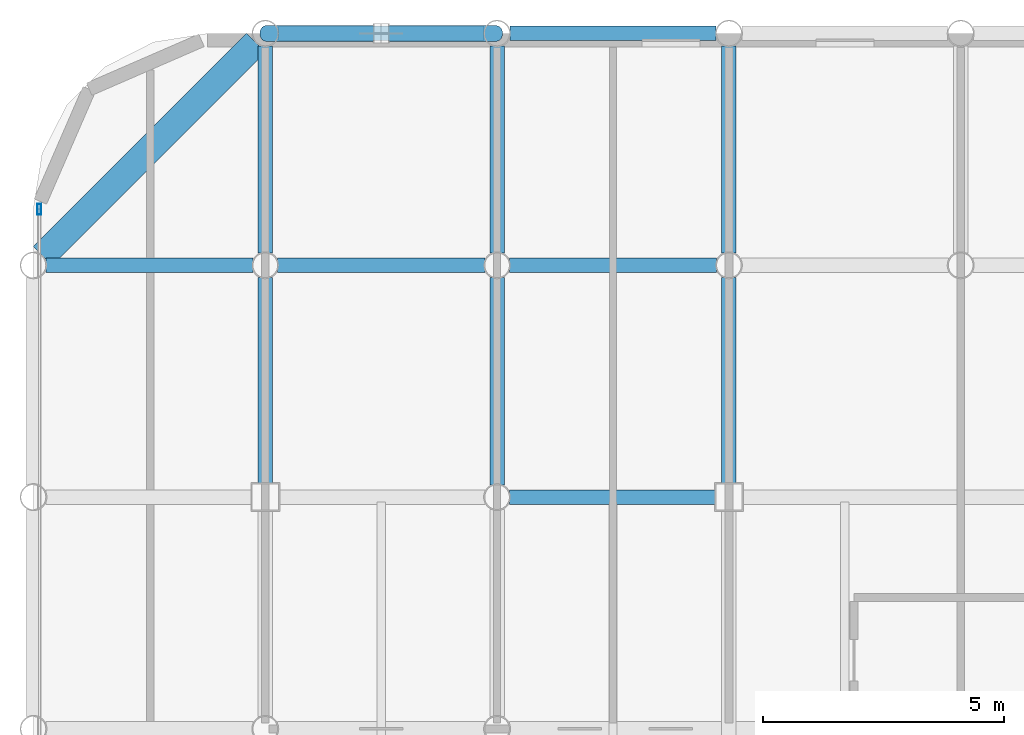
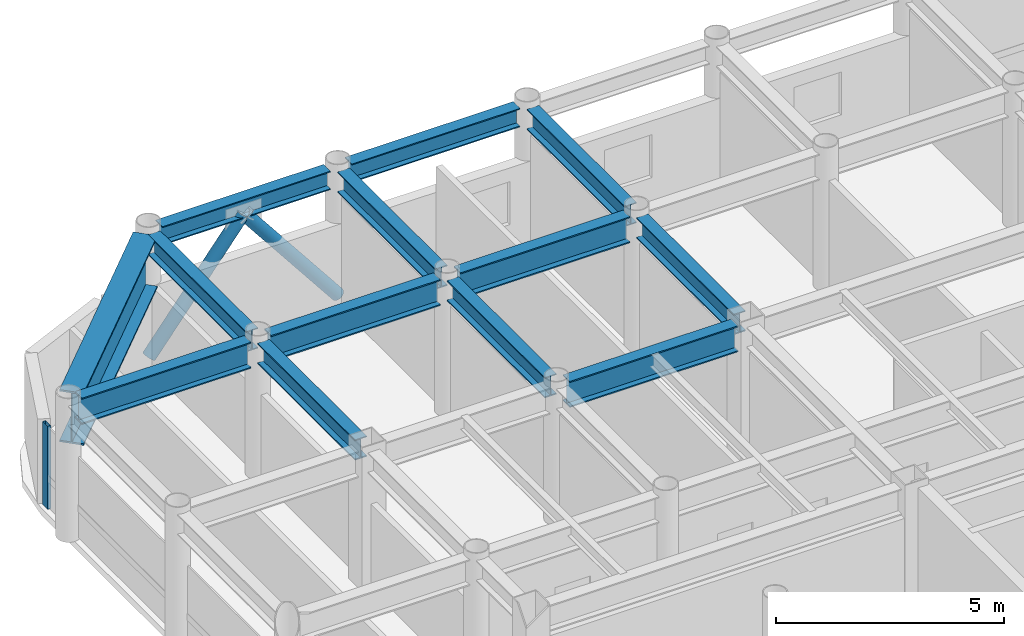
# One storey, part 12 of 22: 13 beams, 3 members, 1 element without a shape of its own.
"""IFC4 building model written with IfcOpenShell, lengths in metres."""

from ifc_helpers import new_model, si_unit, direction, frame, origin, origin_2d, place, context, subcontext, project, spatial, hollow_rectangle, hollow_circle, i_section, extrude, material, layer, layer_set, material_profile, profile_set, type_object, element, aggregate, save


model = new_model("IFC4")

# Units and contexts
model_context = context("Model", 3, precision=1e-05, world=origin(), true_north=direction((0.0, 1.0)))
body_context = subcontext(model_context, "Body", "Model", "MODEL_VIEW")
ifc_project = project(units=[si_unit("LENGTHUNIT", "METRE"), si_unit("AREAUNIT", "SQUARE_METRE"), si_unit("VOLUMEUNIT", "CUBIC_METRE"), si_unit("PLANEANGLEUNIT", "RADIAN"), si_unit("MASSUNIT", "GRAM", prefix="KILO")], contexts=[model_context])

# Site, building, storey
site_placement = place(None, origin())
site = spatial("IfcSite", under=ifc_project, at=site_placement, CompositionType="ELEMENT")
building_placement = place(site_placement, origin())
building = spatial("IfcBuilding", under=site, at=building_placement, Name="Kallvorn Hotel Tower", CompositionType="ELEMENT")
storey_placement = place(building_placement, frame((0.0, 0.0, 230.0)))
storey = spatial("IfcBuildingStorey", under=building, at=storey_placement, Name="L57", CompositionType="ELEMENT", Elevation=230.0)

# Beams
ifc_material_1 = material(Name="Structural steel S355JR", Category="steel")
ifc_material_profile_1 = material_profile(ifc_material_1, i_section(OverallWidth=0.300048828125, OverallDepth=0.5, WebThickness=0.014404296875, FlangeThickness=0.028076171875, at=origin_2d()), Name="HE 500 B")
ifc_profile_set_1 = profile_set([ifc_material_profile_1], Name="Structural steel S355JR")
beam_type_1 = type_object("IfcBeamType", Name="BM_HE500B", PredefinedType="SPANDREL", material=ifc_profile_set_1)
for number, where, z_axis, x_axis, name in (
    (1, (-23.73046875, 24.0, 3.419921875), (1.0, 0.0, 0.0), (0.0, 1.0, 0.0), "L58 Perimeter Spandrel 163"),
    (2, (-18.930419921875, 24.0, 3.419921875), (1.0, 0.0, 0.0), (0.0, 1.0, 0.0), "L58 Perimeter Spandrel 164"),
):
    element("IfcBeam", number, at=place(storey_placement, frame(where, z_axis=z_axis, x_axis=x_axis)), inside=storey, type_object=beam_type_1, Name=name, PredefinedType="SPANDREL", context=body_context, shape_type="SweptSolid", body=[
        extrude(i_section(OverallWidth=0.300048828125, OverallDepth=0.5, WebThickness=0.014404296875, FlangeThickness=0.028076171875, at=origin_2d()), origin(), (0.0, 0.0, 1.0), 4.260986328125),
    ])
ifc_material_2 = material(Name="Structural steel S355JR", Category="steel")
ifc_material_profile_2 = material_profile(ifc_material_2, i_section(OverallWidth=0.300048828125, OverallDepth=0.550048828125, WebThickness=0.014892578125, FlangeThickness=0.029052734375, at=origin_2d()), Name="HE 550 B")
ifc_profile_set_2 = profile_set([ifc_material_profile_2], Name="Structural steel S355JR")
beam_type_2 = type_object("IfcBeamType", Name="BM_HE550B", PredefinedType="SPANDREL", material=ifc_profile_set_2)
beam_1_placement = place(storey_placement, frame((-24.0, 14.675048828125, 3.39501953125), z_axis=(0.0, 1.0, 0.0), x_axis=(-1.0, 0.0, 0.0)))
element("IfcBeam", 3, at=beam_1_placement, inside=storey, type_object=beam_type_2, Name="L58 Primary Y-Girder 86", PredefinedType="SPANDREL", context=body_context, shape_type="SweptSolid", body=[
    extrude(i_section(OverallWidth=0.300048828125, OverallDepth=0.550048828125, WebThickness=0.014892578125, FlangeThickness=0.029052734375, at=origin_2d()), origin(), (0.0, 0.0, 1.0), 4.2705078125),
])
for number, where, z_axis, x_axis, name in (
    (4, (-24.0, 19.45458984375, 3.39501953125), (0.0, 1.0, 0.0), (-1.0, 0.0, 0.0), "L58 Primary Y-Girder 87"),
    (5, (-19.199951171875, 14.654541015625, 3.39501953125), (0.0, 1.0, 0.0), (-1.0, 0.0, 0.0), "L58 Primary Y-Girder 95"),
    (6, (-19.199951171875, 19.45458984375, 3.39501953125), (0.0, 1.0, 0.0), (-1.0, 0.0, 0.0), "L58 Primary Y-Girder 96"),
):
    element("IfcBeam", number, at=place(storey_placement, frame(where, z_axis=z_axis, x_axis=x_axis)), inside=storey, type_object=beam_type_2, Name=name, PredefinedType="SPANDREL", context=body_context, shape_type="SweptSolid", body=[
        extrude(i_section(OverallWidth=0.300048828125, OverallDepth=0.550048828125, WebThickness=0.014892578125, FlangeThickness=0.029052734375, at=origin_2d()), origin(), (0.0, 0.0, 1.0), 4.291015625),
    ])
beam_2_placement = place(storey_placement, frame((-14.39990234375, 14.675048828125, 3.39501953125), z_axis=(0.0, 1.0, 0.0), x_axis=(-1.0, 0.0, 0.0)))
element("IfcBeam", 7, at=beam_2_placement, inside=storey, type_object=beam_type_2, Name="L58 Primary Y-Girder 100", PredefinedType="SPANDREL", context=body_context, shape_type="SweptSolid", body=[
    extrude(i_section(OverallWidth=0.300048828125, OverallDepth=0.550048828125, WebThickness=0.014892578125, FlangeThickness=0.029052734375, at=origin_2d()), origin(), (0.0, 0.0, 1.0), 4.2705078125),
])
beam_3_placement = place(storey_placement, frame((-14.39990234375, 19.45458984375, 3.39501953125), z_axis=(0.0, 1.0, 0.0), x_axis=(-1.0, 0.0, 0.0)))
element("IfcBeam", 8, at=beam_3_placement, inside=storey, type_object=beam_type_2, Name="L58 Primary Y-Girder 101", PredefinedType="SPANDREL", context=body_context, shape_type="SweptSolid", body=[
    extrude(i_section(OverallWidth=0.300048828125, OverallDepth=0.550048828125, WebThickness=0.014892578125, FlangeThickness=0.029052734375, at=origin_2d()), origin(), (0.0, 0.0, 1.0), 4.291015625),
])
ifc_material_3 = material(Name="Structural steel S355JR", Category="steel")
ifc_material_profile_3 = material_profile(ifc_material_3, i_section(OverallWidth=0.300048828125, OverallDepth=0.699951171875, WebThickness=0.01708984375, FlangeThickness=0.031982421875, at=origin_2d()), Name="HE 700 B")
ifc_profile_set_3 = profile_set([ifc_material_profile_3], Name="Structural steel S355JR")
beam_type_3 = type_object("IfcBeamType", Name="BM_HE700B", PredefinedType="BEAM", material=ifc_profile_set_3)
beam_4_placement = place(storey_placement, frame((-18.945556640625, 14.39990234375, 3.320068359375), z_axis=(1.0, 0.0, 0.0), x_axis=(0.0, 1.0, 0.0)))
element("IfcBeam", 9, at=beam_4_placement, inside=storey, type_object=beam_type_3, Name="L58 Primary X-Girder 52", PredefinedType="BEAM", context=body_context, shape_type="SweptSolid", body=[
    extrude(i_section(OverallWidth=0.300048828125, OverallDepth=0.699951171875, WebThickness=0.01708984375, FlangeThickness=0.031982421875, at=origin_2d()), origin(), (0.0, 0.0, 1.0), 4.2705078125),
])
for number, where, z_axis, x_axis, name in (
    (10, (-28.54541015625, 19.199951171875, 3.320068359375), (1.0, 0.0, 0.0), (0.0, 1.0, 0.0), "L58 Primary X-Girder 60"),
    (11, (-23.74560546875, 19.199951171875, 3.320068359375), (1.0, 0.0, 0.0), (0.0, 1.0, 0.0), "L58 Primary X-Girder 61"),
    (12, (-18.945556640625, 19.199951171875, 3.320068359375), (1.0, 0.0, 0.0), (0.0, 1.0, 0.0), "L58 Primary X-Girder 62"),
):
    element("IfcBeam", number, at=place(storey_placement, frame(where, z_axis=z_axis, x_axis=x_axis)), inside=storey, type_object=beam_type_3, Name=name, PredefinedType="BEAM", context=body_context, shape_type="SweptSolid", body=[
        extrude(i_section(OverallWidth=0.300048828125, OverallDepth=0.699951171875, WebThickness=0.01708984375, FlangeThickness=0.031982421875, at=origin_2d()), origin(), (0.0, 0.0, 1.0), 4.291015625),
    ])
ifc_material_4 = material(Name="Structural steel S355JR", Category="steel")
ifc_material_profile_4 = material_profile(ifc_material_4, i_section(OverallWidth=0.550048828125, OverallDepth=1.39990234375, WebThickness=0.02490234375, FlangeThickness=0.044921875, at=origin_2d()), Name="PG 1400x550x25x45")
ifc_profile_set_4 = profile_set([ifc_material_profile_4], Name="Structural steel S355JR")
beam_type_4 = type_object("IfcBeamType", Name="BM_PG_1400", PredefinedType="BEAM", material=ifc_profile_set_4)
beam_5_placement = place(storey_placement, frame((-28.609375, 19.390625, 2.969970703125), z_axis=(0.707106781187, 0.707106781187, 0.0), x_axis=(-0.707106781187, 0.707106781187, 0.0)))
element("IfcBeam", 13, at=beam_5_placement, inside=storey, type_object=beam_type_4, Name="L58 Rounded Corner Tie Beam 189", PredefinedType="BEAM", context=body_context, shape_type="SweptSolid", body=[
    extrude(i_section(OverallWidth=0.550048828125, OverallDepth=1.39990234375, WebThickness=0.02490234375, FlangeThickness=0.044921875, at=origin_2d()), origin(), (0.0, 0.0, 1.0), 6.2490234375),
])

# Curtain wall, member
ifc_material_5 = material(Name="Thermally broken black-anodised aluminium AA 6063-T6", Category="aluminium")
ifc_layer = layer(ifc_material_5, 0.22998046875)
ifc_layer_set = layer_set([ifc_layer], Name="CW_SYS_5_HOTEL_HIGH")
curtain_wall_type = type_object("IfcCurtainWallType", Name="CW_SYS_5_HOTEL_HIGH", PredefinedType="USERDEFINED", material=ifc_layer_set)
curtain_wall_placement = place(storey_placement, origin())
curtain_wall = element("IfcCurtainWall", 14, at=curtain_wall_placement, inside=storey, type_object=curtain_wall_type, Name="L57 Dark-Glass Curtain Wall CW-L57-WN", ObjectType="UNITISED CURTAIN WALL", PredefinedType="USERDEFINED")
ifc_material_6 = material(Name="Thermally broken black-anodised aluminium AA 6063-T6", Category="aluminium")
ifc_material_profile_5 = material_profile(ifc_material_6, hollow_rectangle(XDim=0.080078125, YDim=0.219970703125, WallThickness=0.0048828125, at=origin_2d()), Name="MUL 220x80")
ifc_profile_set_5 = profile_set([ifc_material_profile_5], Name="Thermally broken black-anodised aluminium AA 6063-T6")
member_type_1 = type_object("IfcMemberType", Name="CW_MULLION_220x80", PredefinedType="MULLION", material=ifc_profile_set_5)
member_placement = place(storey_placement, frame((-28.679931640625, 20.360107421875, 0.02001953125), z_axis=(0.0, 0.0, 1.0), x_axis=(1.0, 0.0, 0.0)))
member = element("IfcMember", 15, at=member_placement, type_object=member_type_1, Name="CW-L57-WN Mullion 01", PredefinedType="MULLION", context=body_context, shape_type="SweptSolid", body=[
    extrude(hollow_rectangle(XDim=0.080078125, YDim=0.219970703125, WallThickness=0.0048828125, at=origin_2d()), origin(), (0.0, 0.0, 1.0), 2.22998046875),
])
aggregate(curtain_wall, [member])

# Members
ifc_material_7 = material(Name="Structural steel S355J2H", Category="steel")
ifc_material_profile_6 = material_profile(ifc_material_7, hollow_circle(Radius=0.161865234375, WallThickness=0.012451171875, at=origin_2d()), Name="CHS 323.9x12.5")
ifc_profile_set_6 = profile_set([ifc_material_profile_6], Name="Structural steel S355J2H")
member_type_2 = type_object("IfcMemberType", Name="MBR_EXO_CHS323", PredefinedType="BRACE", material=ifc_profile_set_6)
for number, where, z_axis, x_axis, name in (
    (16, (-23.987548828125, 24.0, 0.19580078125), (0.620928510901, 0.0, 0.783867198159), (0.0, 1.0, 0.0), "L57 Exoskeleton K-Brace N1A"),
    (17, (-19.21240234375, 24.0, 0.19580078125), (-0.620928510901, 0.0, 0.783867198159), (0.0, -1.0, 0.0), "L57 Exoskeleton K-Brace N1B"),
):
    element("IfcMember", number, at=place(storey_placement, frame(where, z_axis=z_axis, x_axis=x_axis)), inside=storey, type_object=member_type_2, Name=name, PredefinedType="BRACE", context=body_context, shape_type="SweptSolid", body=[
        extrude(hollow_circle(Radius=0.161865234375, WallThickness=0.012451171875, at=origin_2d()), origin(), (0.0, 0.0, 1.0), 3.8251953125),
    ])

save(model, "model.ifc")
